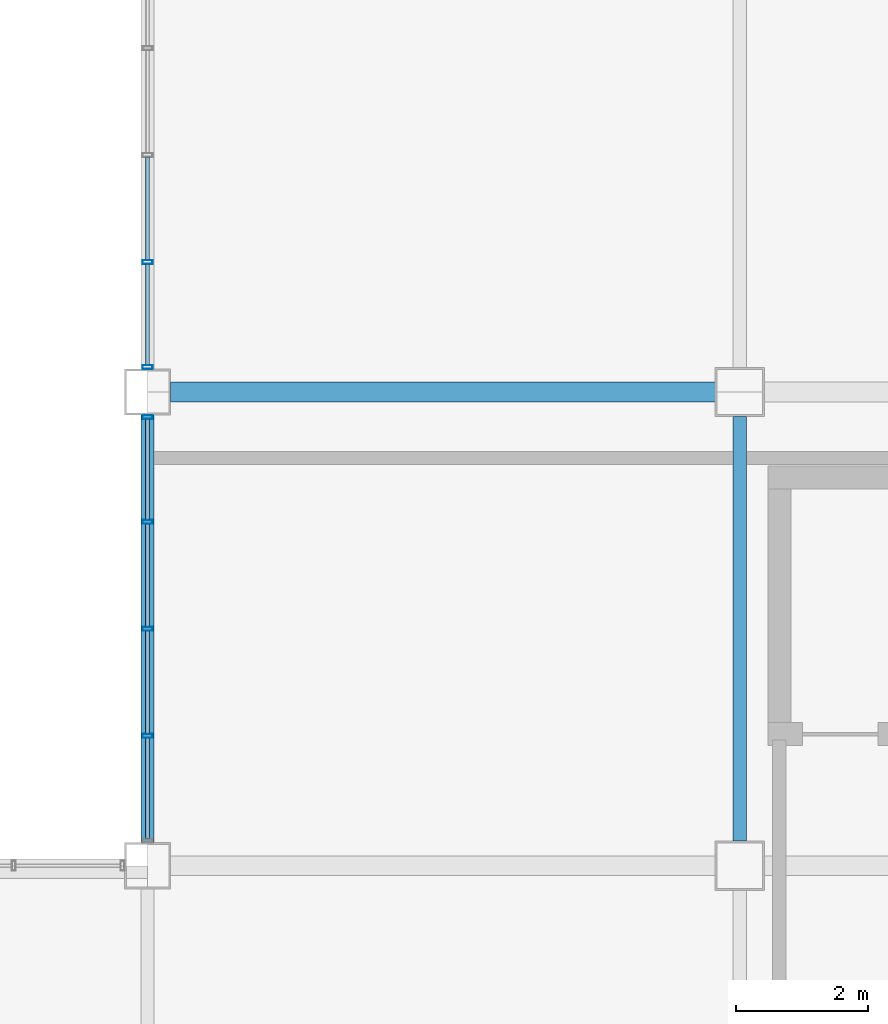
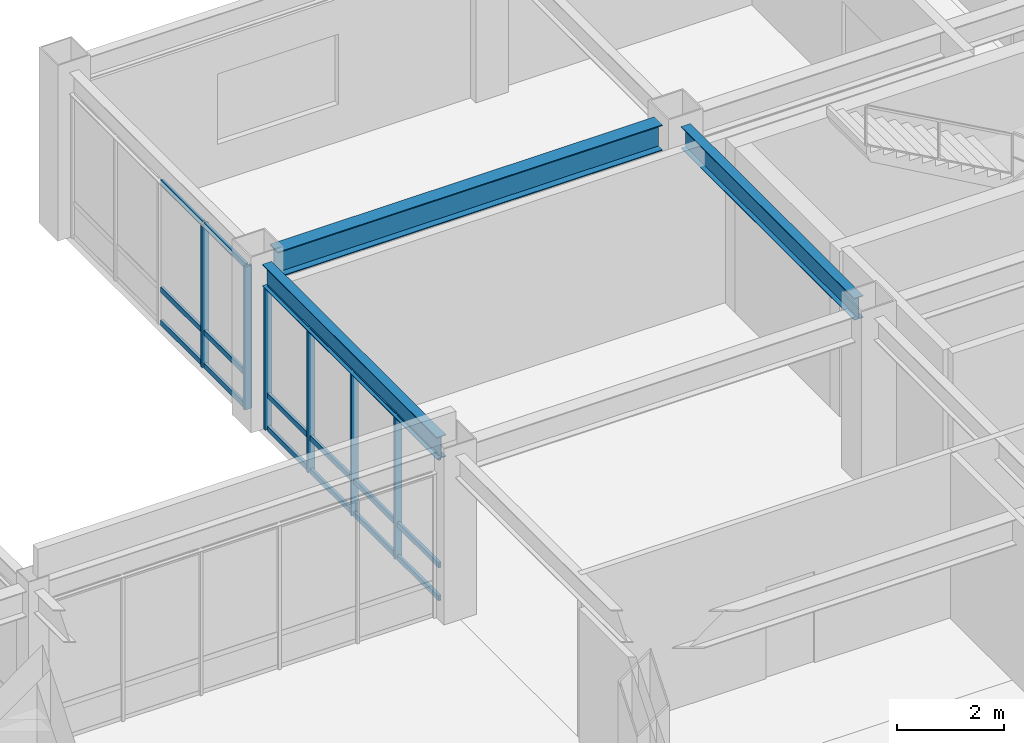
# One storey, part 84 of 122: 24 members, 3 beams, 2 elements without a shape of their own.
"""IFC4 building model written with IfcOpenShell, lengths in metres."""

from ifc_helpers import new_model, si_unit, direction, frame, origin, origin_2d, place, context, subcontext, project, spatial, hollow_rectangle, i_section, extrude, material, material_profile, profile_set, type_object, element, aggregate, save


model = new_model("IFC4")

# Units and contexts
model_context = context("Model", 3, precision=1e-05, world=origin(), true_north=direction((0.0, 1.0)))
body_context = subcontext(model_context, "Body", "Model", "MODEL_VIEW")
ifc_project = project(units=[si_unit("LENGTHUNIT", "METRE"), si_unit("AREAUNIT", "SQUARE_METRE"), si_unit("VOLUMEUNIT", "CUBIC_METRE"), si_unit("PLANEANGLEUNIT", "RADIAN"), si_unit("MASSUNIT", "GRAM", prefix="KILO")], contexts=[model_context])

# Site, building, storey
site_placement = place(None, origin())
site = spatial("IfcSite", under=ifc_project, at=site_placement, CompositionType="ELEMENT")
building_placement = place(site_placement, origin())
building = spatial("IfcBuilding", under=site, at=building_placement, Name="Kazanami Central Library", CompositionType="ELEMENT")
storey_placement = place(building_placement, frame((0.0, 0.0, 4.800048828125)))
storey = spatial("IfcBuildingStorey", under=building, at=storey_placement, Name="L02", CompositionType="ELEMENT", Elevation=4.800048828125)

# Beams
ifc_material_1 = material(Name="Steel SN490B (325 MPa)", Category="steel")
ifc_material_profile_1 = material_profile(ifc_material_1, i_section(OverallWidth=0.300048828125, OverallDepth=0.587890625, WebThickness=0.011962890625, FlangeThickness=0.02001953125, at=origin_2d()), Name="H-588x300x12x20")
ifc_profile_set_1 = profile_set([ifc_material_profile_1], Name="Steel SN490B (325 MPa)")
beam_type_1 = type_object("IfcBeamType", Name="BM-G-X2", PredefinedType="BEAM", material=ifc_profile_set_1)
beam_1_placement = place(storey_placement, frame((117.347900390625, 86.39990234375, 3.4609375), z_axis=(1.0, 0.0, 0.0), x_axis=(0.0, 1.0, 0.0)))
element("IfcBeam", 1, at=beam_1_placement, inside=storey, type_object=beam_type_1, Name="Girder G-X2 L02 N/14-15", PredefinedType="BEAM", context=body_context, shape_type="SweptSolid", body=[
    extrude(i_section(OverallWidth=0.300048828125, OverallDepth=0.587890625, WebThickness=0.011962890625, FlangeThickness=0.02001953125, at=origin_2d()), origin(), (0.0, 0.0, 1.0), 8.279052734375),
])
ifc_material_profile_2 = material_profile(ifc_material_1, i_section(OverallWidth=0.199951171875, OverallDepth=0.5, WebThickness=0.010009765625, FlangeThickness=0.01611328125, at=origin_2d()), Name="H-500x200x10x16")
ifc_profile_set_2 = profile_set([ifc_material_profile_2], Name="Steel SN490B (325 MPa)")
beam_type_2 = type_object("IfcBeamType", Name="BM-G-Y2", PredefinedType="BEAM", material=ifc_profile_set_2)
beam_2_placement = place(storey_placement, frame((126.0, 79.572998046875, 3.5048828125), z_axis=(0.0, 1.0, 0.0), x_axis=(-1.0, 0.0, 0.0)))
element("IfcBeam", 2, at=beam_2_placement, inside=storey, type_object=beam_type_2, Name="Girder G-Y2 L02 15/M-N", PredefinedType="BEAM", context=body_context, shape_type="SweptSolid", body=[
    extrude(i_section(OverallWidth=0.199951171875, OverallDepth=0.5, WebThickness=0.010009765625, FlangeThickness=0.01611328125, at=origin_2d()), origin(), (0.0, 0.0, 1.0), 6.4541015625),
])
ifc_material_profile_3 = material_profile(ifc_material_1, i_section(OverallWidth=0.199951171875, OverallDepth=0.5, WebThickness=0.010009765625, FlangeThickness=0.01611328125, at=origin_2d()), Name="H-500x200x10x16")
ifc_profile_set_3 = profile_set([ifc_material_profile_3], Name="Steel SN490B (325 MPa)")
beam_type_3 = type_object("IfcBeamType", Name="BM-SP-1", PredefinedType="SPANDREL", material=ifc_profile_set_3)
beam_3_placement = place(storey_placement, frame((117.0, 79.548095703125, 3.5048828125), z_axis=(0.0, 1.0, 0.0), x_axis=(-1.0, 0.0, 0.0)))
element("IfcBeam", 3, at=beam_3_placement, inside=storey, type_object=beam_type_3, Name="Girder SP-1 L02 14/M-N", PredefinedType="SPANDREL", context=body_context, shape_type="SweptSolid", body=[
    extrude(i_section(OverallWidth=0.199951171875, OverallDepth=0.5, WebThickness=0.010009765625, FlangeThickness=0.01611328125, at=origin_2d()), origin(), (0.0, 0.0, 1.0), 6.50390625),
])

# Curtain wall, members
ifc_material_2 = material(Name="Acid-Etched Low-E Laminated Glass", Category="glass")
curtain_wall_type = type_object("IfcCurtainWallType", Name="CW-6500x3255-M180", PredefinedType="USERDEFINED", material=ifc_material_2)
curtain_wall_1_placement = place(storey_placement, origin())
curtain_wall_1 = element("IfcCurtainWall", 4, at=curtain_wall_1_placement, inside=storey, type_object=curtain_wall_type, Name="Covered Link Bridge Curtain Wall CW-23 L02 W-14-11", ObjectType="UNITISED CURTAIN WALL", PredefinedType="USERDEFINED")
ifc_material_3 = material(Name="Anodised Aluminium A6063-T5", Category="aluminium")
ifc_material_profile_4 = material_profile(ifc_material_3, hollow_rectangle(XDim=0.06005859375, YDim=0.14990234375, WallThickness=0.00390625, at=origin_2d()), Name="ALU-MULL-60x150x4")
ifc_profile_set_4 = profile_set([ifc_material_profile_4], Name="Anodised Aluminium A6063-T5")
member_type_1 = type_object("IfcMemberType", Name="MEM-CW-M3", PredefinedType="MULLION", material=ifc_profile_set_4)
member_1_placement = place(storey_placement, frame((117.0, 81.175048828125, 0.0), z_axis=(0.0, 0.0, 1.0), x_axis=(0.0, 1.0, 0.0)))
member_1 = element("IfcMember", 5, at=member_1_placement, type_object=member_type_1, Name="CW-23 mullion 2", PredefinedType="MULLION", context=body_context, shape_type="SweptSolid", body=[
    extrude(hollow_rectangle(XDim=0.06005859375, YDim=0.14990234375, WallThickness=0.00390625, at=origin_2d()), origin(), (0.0, 0.0, 1.0), 3.2548828125),
])
member_2_placement = place(storey_placement, frame((117.0, 82.800048828125, 0.0), z_axis=(0.0, 0.0, 1.0), x_axis=(0.0, 1.0, 0.0)))
member_2 = element("IfcMember", 6, at=member_2_placement, type_object=member_type_1, Name="CW-23 mullion 3", PredefinedType="MULLION", context=body_context, shape_type="SweptSolid", body=[
    extrude(hollow_rectangle(XDim=0.06005859375, YDim=0.14990234375, WallThickness=0.00390625, at=origin_2d()), origin(), (0.0, 0.0, 1.0), 3.2548828125),
])
member_3_placement = place(storey_placement, frame((117.0, 84.425048828125, 0.0), z_axis=(0.0, 0.0, 1.0), x_axis=(0.0, 1.0, 0.0)))
member_3 = element("IfcMember", 7, at=member_3_placement, type_object=member_type_1, Name="CW-23 mullion 4", PredefinedType="MULLION", context=body_context, shape_type="SweptSolid", body=[
    extrude(hollow_rectangle(XDim=0.06005859375, YDim=0.14990234375, WallThickness=0.00390625, at=origin_2d()), origin(), (0.0, 0.0, 1.0), 3.2548828125),
])
member_4_placement = place(storey_placement, frame((117.0, 86.02001953125, 0.0), z_axis=(0.0, 0.0, 1.0), x_axis=(0.0, 1.0, 0.0)))
member_4 = element("IfcMember", 8, at=member_4_placement, type_object=member_type_1, Name="CW-23 mullion 5", PredefinedType="MULLION", context=body_context, shape_type="SweptSolid", body=[
    extrude(hollow_rectangle(XDim=0.06005859375, YDim=0.14990234375, WallThickness=0.00390625, at=origin_2d()), origin(), (0.0, 0.0, 1.0), 3.2548828125),
])

curtain_wall_2_placement = place(storey_placement, origin())
curtain_wall_2 = element("IfcCurtainWall", 9, at=curtain_wall_2_placement, inside=storey, type_object=curtain_wall_type, Name="Covered Link Bridge Curtain Wall CW-23 L02 W-14-12", ObjectType="UNITISED CURTAIN WALL", PredefinedType="USERDEFINED")
member_5_placement = place(storey_placement, frame((117.0, 86.780029296875, 0.0), z_axis=(0.0, 0.0, 1.0), x_axis=(0.0, 1.0, 0.0)))
member_5 = element("IfcMember", 10, at=member_5_placement, type_object=member_type_1, Name="CW-23 mullion 1", PredefinedType="MULLION", context=body_context, shape_type="SweptSolid", body=[
    extrude(hollow_rectangle(XDim=0.06005859375, YDim=0.14990234375, WallThickness=0.00390625, at=origin_2d()), origin(), (0.0, 0.0, 1.0), 3.2548828125),
])
member_6_placement = place(storey_placement, frame((117.0, 88.375, 0.0), z_axis=(0.0, 0.0, 1.0), x_axis=(0.0, 1.0, 0.0)))
member_6 = element("IfcMember", 11, at=member_6_placement, type_object=member_type_1, Name="CW-23 mullion 2", PredefinedType="MULLION", context=body_context, shape_type="SweptSolid", body=[
    extrude(hollow_rectangle(XDim=0.06005859375, YDim=0.14990234375, WallThickness=0.00390625, at=origin_2d()), origin(), (0.0, 0.0, 1.0), 3.2548828125),
])

# Member
ifc_material_profile_5 = material_profile(ifc_material_3, hollow_rectangle(XDim=0.06005859375, YDim=0.1201171875, WallThickness=0.00341796875, at=origin_2d()), Name="ALU-TRAN-60x120x3.5")
ifc_profile_set_5 = profile_set([ifc_material_profile_5], Name="Anodised Aluminium A6063-T5")
member_type_2 = type_object("IfcMemberType", Name="MEM-CW-T3", PredefinedType="USERDEFINED", material=ifc_profile_set_5)
member_7_placement = place(storey_placement, frame((117.0, 79.610107421875, 0.030029296875), z_axis=(0.0, 1.0, 0.0), x_axis=(-1.0, 0.0, 0.0)))
member_7 = element("IfcMember", 12, at=member_7_placement, type_object=member_type_2, Name="CW-23 transom 1.1", ObjectType="TRANSOM", PredefinedType="USERDEFINED", context=body_context, shape_type="SweptSolid", body=[
    extrude(hollow_rectangle(XDim=0.06005859375, YDim=0.1201171875, WallThickness=0.00341796875, at=origin_2d()), origin(), (0.0, 0.0, 1.0), 1.534912109375),
])

member_8_placement = place(storey_placement, frame((117.0, 79.610107421875, 0.780029296875), z_axis=(0.0, 1.0, 0.0), x_axis=(-1.0, 0.0, 0.0)))
member_8 = element("IfcMember", 13, at=member_8_placement, type_object=member_type_2, Name="CW-23 transom 1.2", ObjectType="TRANSOM", PredefinedType="USERDEFINED", context=body_context, shape_type="SweptSolid", body=[
    extrude(hollow_rectangle(XDim=0.06005859375, YDim=0.1201171875, WallThickness=0.00341796875, at=origin_2d()), origin(), (0.0, 0.0, 1.0), 1.534912109375),
])

member_9_placement = place(storey_placement, frame((117.0, 79.610107421875, 3.224853515625), z_axis=(0.0, 1.0, 0.0), x_axis=(-1.0, 0.0, 0.0)))
member_9 = element("IfcMember", 14, at=member_9_placement, type_object=member_type_2, Name="CW-23 transom 1.3", ObjectType="TRANSOM", PredefinedType="USERDEFINED", context=body_context, shape_type="SweptSolid", body=[
    extrude(hollow_rectangle(XDim=0.06005859375, YDim=0.1201171875, WallThickness=0.00341796875, at=origin_2d()), origin(), (0.0, 0.0, 1.0), 1.534912109375),
])

member_10_placement = place(storey_placement, frame((117.0, 81.205078125, 0.030029296875), z_axis=(0.0, 1.0, 0.0), x_axis=(-1.0, 0.0, 0.0)))
member_10 = element("IfcMember", 15, at=member_10_placement, type_object=member_type_2, Name="CW-23 transom 2.1", ObjectType="TRANSOM", PredefinedType="USERDEFINED", context=body_context, shape_type="SweptSolid", body=[
    extrude(hollow_rectangle(XDim=0.06005859375, YDim=0.1201171875, WallThickness=0.00341796875, at=origin_2d()), origin(), (0.0, 0.0, 1.0), 1.56494140625),
])

member_11_placement = place(storey_placement, frame((117.0, 81.205078125, 0.780029296875), z_axis=(0.0, 1.0, 0.0), x_axis=(-1.0, 0.0, 0.0)))
member_11 = element("IfcMember", 16, at=member_11_placement, type_object=member_type_2, Name="CW-23 transom 2.2", ObjectType="TRANSOM", PredefinedType="USERDEFINED", context=body_context, shape_type="SweptSolid", body=[
    extrude(hollow_rectangle(XDim=0.06005859375, YDim=0.1201171875, WallThickness=0.00341796875, at=origin_2d()), origin(), (0.0, 0.0, 1.0), 1.56494140625),
])

member_12_placement = place(storey_placement, frame((117.0, 81.205078125, 3.224853515625), z_axis=(0.0, 1.0, 0.0), x_axis=(-1.0, 0.0, 0.0)))
member_12 = element("IfcMember", 17, at=member_12_placement, type_object=member_type_2, Name="CW-23 transom 2.3", ObjectType="TRANSOM", PredefinedType="USERDEFINED", context=body_context, shape_type="SweptSolid", body=[
    extrude(hollow_rectangle(XDim=0.06005859375, YDim=0.1201171875, WallThickness=0.00341796875, at=origin_2d()), origin(), (0.0, 0.0, 1.0), 1.56494140625),
])

member_13_placement = place(storey_placement, frame((117.0, 82.830078125, 0.030029296875), z_axis=(0.0, 1.0, 0.0), x_axis=(-1.0, 0.0, 0.0)))
member_13 = element("IfcMember", 18, at=member_13_placement, type_object=member_type_2, Name="CW-23 transom 3.1", ObjectType="TRANSOM", PredefinedType="USERDEFINED", context=body_context, shape_type="SweptSolid", body=[
    extrude(hollow_rectangle(XDim=0.06005859375, YDim=0.1201171875, WallThickness=0.00341796875, at=origin_2d()), origin(), (0.0, 0.0, 1.0), 1.56494140625),
])

member_14_placement = place(storey_placement, frame((117.0, 82.830078125, 0.780029296875), z_axis=(0.0, 1.0, 0.0), x_axis=(-1.0, 0.0, 0.0)))
member_14 = element("IfcMember", 19, at=member_14_placement, type_object=member_type_2, Name="CW-23 transom 3.2", ObjectType="TRANSOM", PredefinedType="USERDEFINED", context=body_context, shape_type="SweptSolid", body=[
    extrude(hollow_rectangle(XDim=0.06005859375, YDim=0.1201171875, WallThickness=0.00341796875, at=origin_2d()), origin(), (0.0, 0.0, 1.0), 1.56494140625),
])

member_15_placement = place(storey_placement, frame((117.0, 82.830078125, 3.224853515625), z_axis=(0.0, 1.0, 0.0), x_axis=(-1.0, 0.0, 0.0)))
member_15 = element("IfcMember", 20, at=member_15_placement, type_object=member_type_2, Name="CW-23 transom 3.3", ObjectType="TRANSOM", PredefinedType="USERDEFINED", context=body_context, shape_type="SweptSolid", body=[
    extrude(hollow_rectangle(XDim=0.06005859375, YDim=0.1201171875, WallThickness=0.00341796875, at=origin_2d()), origin(), (0.0, 0.0, 1.0), 1.56494140625),
])

member_16_placement = place(storey_placement, frame((117.0, 84.455078125, 0.030029296875), z_axis=(0.0, 1.0, 0.0), x_axis=(-1.0, 0.0, 0.0)))
member_16 = element("IfcMember", 21, at=member_16_placement, type_object=member_type_2, Name="CW-23 transom 4.1", ObjectType="TRANSOM", PredefinedType="USERDEFINED", context=body_context, shape_type="SweptSolid", body=[
    extrude(hollow_rectangle(XDim=0.06005859375, YDim=0.1201171875, WallThickness=0.00341796875, at=origin_2d()), origin(), (0.0, 0.0, 1.0), 1.534912109375),
])

member_17_placement = place(storey_placement, frame((117.0, 84.455078125, 0.780029296875), z_axis=(0.0, 1.0, 0.0), x_axis=(-1.0, 0.0, 0.0)))
member_17 = element("IfcMember", 22, at=member_17_placement, type_object=member_type_2, Name="CW-23 transom 4.2", ObjectType="TRANSOM", PredefinedType="USERDEFINED", context=body_context, shape_type="SweptSolid", body=[
    extrude(hollow_rectangle(XDim=0.06005859375, YDim=0.1201171875, WallThickness=0.00341796875, at=origin_2d()), origin(), (0.0, 0.0, 1.0), 1.534912109375),
])

member_18_placement = place(storey_placement, frame((117.0, 84.455078125, 3.224853515625), z_axis=(0.0, 1.0, 0.0), x_axis=(-1.0, 0.0, 0.0)))
member_18 = element("IfcMember", 23, at=member_18_placement, type_object=member_type_2, Name="CW-23 transom 4.3", ObjectType="TRANSOM", PredefinedType="USERDEFINED", context=body_context, shape_type="SweptSolid", body=[
    extrude(hollow_rectangle(XDim=0.06005859375, YDim=0.1201171875, WallThickness=0.00341796875, at=origin_2d()), origin(), (0.0, 0.0, 1.0), 1.534912109375),
])

aggregate(curtain_wall_1, [member_1, member_2, member_3, member_4, member_7, member_8, member_9, member_10, member_11, member_12, member_13, member_14, member_15, member_16, member_17, member_18])

member_19_placement = place(storey_placement, frame((117.0, 86.81005859375, 0.030029296875), z_axis=(0.0, 1.0, 0.0), x_axis=(-1.0, 0.0, 0.0)))
member_19 = element("IfcMember", 24, at=member_19_placement, type_object=member_type_2, Name="CW-23 transom 1.1", ObjectType="TRANSOM", PredefinedType="USERDEFINED", context=body_context, shape_type="SweptSolid", body=[
    extrude(hollow_rectangle(XDim=0.06005859375, YDim=0.1201171875, WallThickness=0.00341796875, at=origin_2d()), origin(), (0.0, 0.0, 1.0), 1.534912109375),
])

member_20_placement = place(storey_placement, frame((117.0, 86.81005859375, 0.780029296875), z_axis=(0.0, 1.0, 0.0), x_axis=(-1.0, 0.0, 0.0)))
member_20 = element("IfcMember", 25, at=member_20_placement, type_object=member_type_2, Name="CW-23 transom 1.2", ObjectType="TRANSOM", PredefinedType="USERDEFINED", context=body_context, shape_type="SweptSolid", body=[
    extrude(hollow_rectangle(XDim=0.06005859375, YDim=0.1201171875, WallThickness=0.00341796875, at=origin_2d()), origin(), (0.0, 0.0, 1.0), 1.534912109375),
])

member_21_placement = place(storey_placement, frame((117.0, 86.81005859375, 3.224853515625), z_axis=(0.0, 1.0, 0.0), x_axis=(-1.0, 0.0, 0.0)))
member_21 = element("IfcMember", 26, at=member_21_placement, type_object=member_type_2, Name="CW-23 transom 1.3", ObjectType="TRANSOM", PredefinedType="USERDEFINED", context=body_context, shape_type="SweptSolid", body=[
    extrude(hollow_rectangle(XDim=0.06005859375, YDim=0.1201171875, WallThickness=0.00341796875, at=origin_2d()), origin(), (0.0, 0.0, 1.0), 1.534912109375),
])

member_22_placement = place(storey_placement, frame((117.0, 88.405029296875, 0.030029296875), z_axis=(0.0, 1.0, 0.0), x_axis=(-1.0, 0.0, 0.0)))
member_22 = element("IfcMember", 27, at=member_22_placement, type_object=member_type_2, Name="CW-23 transom 2.1", ObjectType="TRANSOM", PredefinedType="USERDEFINED", context=body_context, shape_type="SweptSolid", body=[
    extrude(hollow_rectangle(XDim=0.06005859375, YDim=0.1201171875, WallThickness=0.00341796875, at=origin_2d()), origin(), (0.0, 0.0, 1.0), 1.56494140625),
])

member_23_placement = place(storey_placement, frame((117.0, 88.405029296875, 0.780029296875), z_axis=(0.0, 1.0, 0.0), x_axis=(-1.0, 0.0, 0.0)))
member_23 = element("IfcMember", 28, at=member_23_placement, type_object=member_type_2, Name="CW-23 transom 2.2", ObjectType="TRANSOM", PredefinedType="USERDEFINED", context=body_context, shape_type="SweptSolid", body=[
    extrude(hollow_rectangle(XDim=0.06005859375, YDim=0.1201171875, WallThickness=0.00341796875, at=origin_2d()), origin(), (0.0, 0.0, 1.0), 1.56494140625),
])

member_24_placement = place(storey_placement, frame((117.0, 88.405029296875, 3.224853515625), z_axis=(0.0, 1.0, 0.0), x_axis=(-1.0, 0.0, 0.0)))
member_24 = element("IfcMember", 29, at=member_24_placement, type_object=member_type_2, Name="CW-23 transom 2.3", ObjectType="TRANSOM", PredefinedType="USERDEFINED", context=body_context, shape_type="SweptSolid", body=[
    extrude(hollow_rectangle(XDim=0.06005859375, YDim=0.1201171875, WallThickness=0.00341796875, at=origin_2d()), origin(), (0.0, 0.0, 1.0), 1.56494140625),
])

aggregate(curtain_wall_2, [member_5, member_6, member_19, member_20, member_21, member_22, member_23, member_24])

save(model, "model.ifc")
